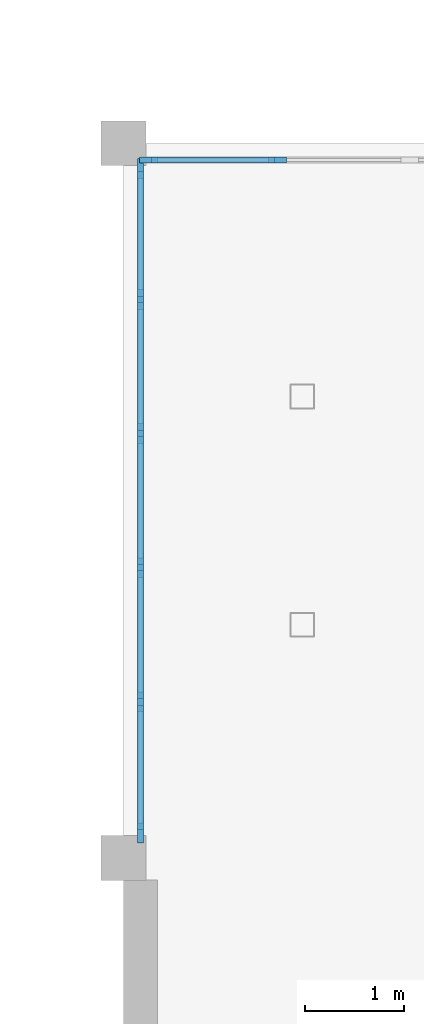
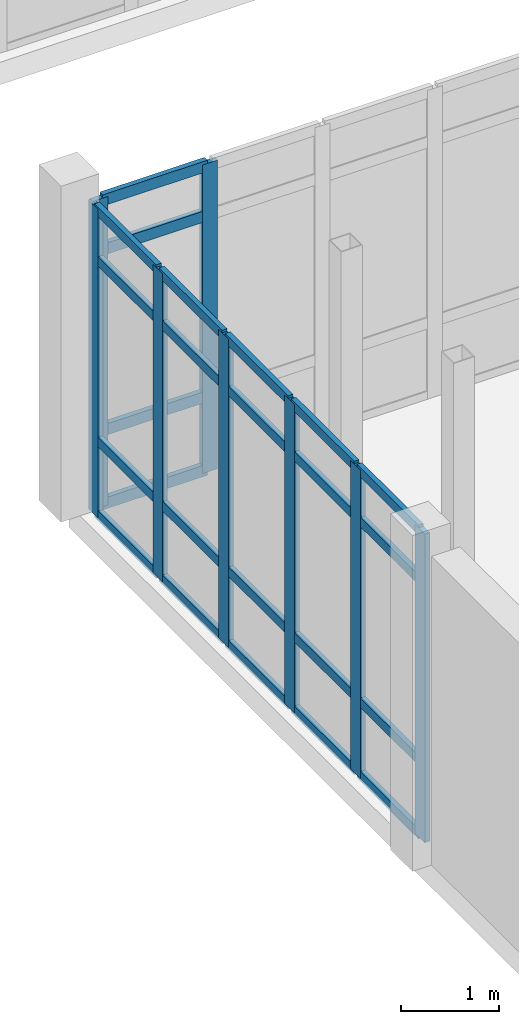
# One storey, part 76 of 147: 32 members, 2 elements without a shape of their own.
"""IFC4 building model written with IfcOpenShell, lengths in metres."""

from ifc_helpers import new_model, si_unit, direction, frame, origin, origin_2d, place, context, subcontext, project, spatial, rectangle, extrude, material, material_profile, profile_set, type_object, element, aggregate, save


model = new_model("IFC4")

# Units and contexts
model_context = context("Model", 3, precision=1e-05, world=origin(), true_north=direction((0.0, 1.0)))
body_context = subcontext(model_context, "Body", "Model", "MODEL_VIEW")
ifc_project = project(units=[si_unit("LENGTHUNIT", "METRE"), si_unit("AREAUNIT", "SQUARE_METRE"), si_unit("VOLUMEUNIT", "CUBIC_METRE"), si_unit("PLANEANGLEUNIT", "RADIAN"), si_unit("MASSUNIT", "GRAM", prefix="KILO")], contexts=[model_context])

# Site, building, storey
site_placement = place(None, origin())
site = spatial("IfcSite", under=ifc_project, at=site_placement, CompositionType="ELEMENT")
building_placement = place(site_placement, origin())
building = spatial("IfcBuilding", under=site, at=building_placement, Name="Malvenik Polytechnic", CompositionType="ELEMENT")
storey_placement = place(building_placement, frame((0.0, 0.0, 5.10009765625)))
storey = spatial("IfcBuildingStorey", under=building, at=storey_placement, Name="L01", CompositionType="ELEMENT", Elevation=5.10009765625)

# Curtain wall, members
ifc_material_1 = material(Name="Anodised aluminium 6060-T6", Category="aluminium")
curtain_wall_type_1 = type_object("IfcCurtainWallType", Name="ARC-CW-CW-01", PredefinedType="NOTDEFINED", material=ifc_material_1)
curtain_wall_1_placement = place(storey_placement, origin())
curtain_wall_1 = element("IfcCurtainWall", 1, at=curtain_wall_1_placement, inside=storey, type_object=curtain_wall_type_1, Name="Unitised Curtain Wall CW-01 L01 #64", PredefinedType="NOTDEFINED")
ifc_material_2 = material(Name="Anodised aluminium", Category="aluminium")
ifc_material_profile_1 = material_profile(ifc_material_2, rectangle(XDim=0.06005859375, YDim=0.179931640625, at=origin_2d()), Name="ALU MULLION 60x180")
ifc_profile_set_1 = profile_set([ifc_material_profile_1], Name="Anodised aluminium")
member_type_1 = type_object("IfcMemberType", Name="ARC-CWM-180", PredefinedType="MULLION", material=ifc_profile_set_1)
member_1_placement = place(storey_placement, frame((126.2529296875, 107.830078125, 0.0), z_axis=(0.0, 0.0, 1.0), x_axis=(0.0, 1.0, 0.0)))
member_1 = element("IfcMember", 2, at=member_1_placement, type_object=member_type_1, Name="CW-01 mullion 1", PredefinedType="MULLION", context=body_context, shape_type="SweptSolid", body=[
    extrude(rectangle(XDim=0.06005859375, YDim=0.179931640625, at=origin_2d()), origin(), (0.0, 0.0, 1.0), 3.85986328125),
])
member_2_placement = place(storey_placement, frame((127.552734375, 107.830078125, 0.0), z_axis=(0.0, 0.0, 1.0), x_axis=(0.0, 1.0, 0.0)))
member_2 = element("IfcMember", 3, at=member_2_placement, type_object=member_type_1, Name="CW-01 mullion 2", PredefinedType="MULLION", context=body_context, shape_type="SweptSolid", body=[
    extrude(rectangle(XDim=0.06005859375, YDim=0.179931640625, at=origin_2d()), origin(), (0.0, 0.0, 1.0), 3.85986328125),
])

curtain_wall_type_2 = type_object("IfcCurtainWallType", Name="ARC-CW-CW-04", PredefinedType="NOTDEFINED", material=ifc_material_1)
curtain_wall_2_placement = place(storey_placement, origin())
curtain_wall_2 = element("IfcCurtainWall", 4, at=curtain_wall_2_placement, inside=storey, type_object=curtain_wall_type_2, Name="Unitised Curtain Wall CW-04 L01 #63", PredefinedType="NOTDEFINED")
ifc_material_profile_2 = material_profile(ifc_material_2, rectangle(XDim=0.06005859375, YDim=0.199951171875, at=origin_2d()), Name="ALU MULLION 60x200")
ifc_profile_set_2 = profile_set([ifc_material_profile_2], Name="Anodised aluminium")
member_type_2 = type_object("IfcMemberType", Name="ARC-CWM-200", PredefinedType="MULLION", material=ifc_profile_set_2)
member_3_placement = place(storey_placement, frame((126.169921875, 101.052978515625, 0.0), z_axis=(0.0, 0.0, 1.0), x_axis=(-1.0, 0.0, 0.0)))
member_3 = element("IfcMember", 5, at=member_3_placement, type_object=member_type_2, Name="CW-04 mullion 1", PredefinedType="MULLION", context=body_context, shape_type="SweptSolid", body=[
    extrude(rectangle(XDim=0.06005859375, YDim=0.199951171875, at=origin_2d()), origin(), (0.0, 0.0, 1.0), 3.85986328125),
])
member_4_placement = place(storey_placement, frame((126.169921875, 102.373779296875, 0.0), z_axis=(0.0, 0.0, 1.0), x_axis=(-1.0, 0.0, 0.0)))
member_4 = element("IfcMember", 6, at=member_4_placement, type_object=member_type_2, Name="CW-04 mullion 2", PredefinedType="MULLION", context=body_context, shape_type="SweptSolid", body=[
    extrude(rectangle(XDim=0.06005859375, YDim=0.199951171875, at=origin_2d()), origin(), (0.0, 0.0, 1.0), 3.85986328125),
])
member_5_placement = place(storey_placement, frame((126.169921875, 103.724609375, 0.0), z_axis=(0.0, 0.0, 1.0), x_axis=(-1.0, 0.0, 0.0)))
member_5 = element("IfcMember", 7, at=member_5_placement, type_object=member_type_2, Name="CW-04 mullion 3", PredefinedType="MULLION", context=body_context, shape_type="SweptSolid", body=[
    extrude(rectangle(XDim=0.06005859375, YDim=0.199951171875, at=origin_2d()), origin(), (0.0, 0.0, 1.0), 3.85986328125),
])
member_6_placement = place(storey_placement, frame((126.169921875, 105.075439453125, 0.0), z_axis=(0.0, 0.0, 1.0), x_axis=(-1.0, 0.0, 0.0)))
member_6 = element("IfcMember", 8, at=member_6_placement, type_object=member_type_2, Name="CW-04 mullion 4", PredefinedType="MULLION", context=body_context, shape_type="SweptSolid", body=[
    extrude(rectangle(XDim=0.06005859375, YDim=0.199951171875, at=origin_2d()), origin(), (0.0, 0.0, 1.0), 3.85986328125),
])
member_7_placement = place(storey_placement, frame((126.169921875, 106.42626953125, 0.0), z_axis=(0.0, 0.0, 1.0), x_axis=(-1.0, 0.0, 0.0)))
member_7 = element("IfcMember", 9, at=member_7_placement, type_object=member_type_2, Name="CW-04 mullion 5", PredefinedType="MULLION", context=body_context, shape_type="SweptSolid", body=[
    extrude(rectangle(XDim=0.06005859375, YDim=0.199951171875, at=origin_2d()), origin(), (0.0, 0.0, 1.0), 3.85986328125),
])
member_8_placement = place(storey_placement, frame((126.169921875, 107.7470703125, 0.0), z_axis=(0.0, 0.0, 1.0), x_axis=(-1.0, 0.0, 0.0)))
member_8 = element("IfcMember", 10, at=member_8_placement, type_object=member_type_2, Name="CW-04 mullion 6", PredefinedType="MULLION", context=body_context, shape_type="SweptSolid", body=[
    extrude(rectangle(XDim=0.06005859375, YDim=0.199951171875, at=origin_2d()), origin(), (0.0, 0.0, 1.0), 3.85986328125),
])
ifc_material_profile_3 = material_profile(ifc_material_2, rectangle(XDim=0.06005859375, YDim=0.1201171875, at=origin_2d()), Name="ALU TRANSOM 60x120")
ifc_profile_set_3 = profile_set([ifc_material_profile_3], Name="Anodised aluminium")
member_type_3 = type_object("IfcMemberType", Name="ARC-CWT-120", PredefinedType="USERDEFINED", material=ifc_profile_set_3)
member_9_placement = place(storey_placement, frame((126.169921875, 101.0830078125, 0.02978515625), z_axis=(0.0, 1.0, 0.0), x_axis=(-1.0, 0.0, 0.0)))
member_9 = element("IfcMember", 11, at=member_9_placement, type_object=member_type_3, Name="CW-04 transom 1.1", ObjectType="TRANSOM", PredefinedType="USERDEFINED", context=body_context, shape_type="SweptSolid", body=[
    extrude(rectangle(XDim=0.06005859375, YDim=0.1201171875, at=origin_2d()), origin(), (0.0, 0.0, 1.0), 1.2607421875),
])
member_10_placement = place(storey_placement, frame((126.169921875, 101.0830078125, 0.949951171875), z_axis=(0.0, 1.0, 0.0), x_axis=(-1.0, 0.0, 0.0)))
member_10 = element("IfcMember", 12, at=member_10_placement, type_object=member_type_3, Name="CW-04 transom 1.2", ObjectType="TRANSOM", PredefinedType="USERDEFINED", context=body_context, shape_type="SweptSolid", body=[
    extrude(rectangle(XDim=0.06005859375, YDim=0.1201171875, at=origin_2d()), origin(), (0.0, 0.0, 1.0), 1.2607421875),
])
member_11_placement = place(storey_placement, frame((126.169921875, 101.0830078125, 3.2099609375), z_axis=(0.0, 1.0, 0.0), x_axis=(-1.0, 0.0, 0.0)))
member_11 = element("IfcMember", 13, at=member_11_placement, type_object=member_type_3, Name="CW-04 transom 1.3", ObjectType="TRANSOM", PredefinedType="USERDEFINED", context=body_context, shape_type="SweptSolid", body=[
    extrude(rectangle(XDim=0.06005859375, YDim=0.1201171875, at=origin_2d()), origin(), (0.0, 0.0, 1.0), 1.2607421875),
])
member_12_placement = place(storey_placement, frame((126.169921875, 101.0830078125, 3.829833984375), z_axis=(0.0, 1.0, 0.0), x_axis=(-1.0, 0.0, 0.0)))
member_12 = element("IfcMember", 14, at=member_12_placement, type_object=member_type_3, Name="CW-04 transom 1.4", ObjectType="TRANSOM", PredefinedType="USERDEFINED", context=body_context, shape_type="SweptSolid", body=[
    extrude(rectangle(XDim=0.06005859375, YDim=0.1201171875, at=origin_2d()), origin(), (0.0, 0.0, 1.0), 1.2607421875),
])
member_13_placement = place(storey_placement, frame((126.169921875, 102.40380859375, 0.02978515625), z_axis=(0.0, 1.0, 0.0), x_axis=(-1.0, 0.0, 0.0)))
member_13 = element("IfcMember", 15, at=member_13_placement, type_object=member_type_3, Name="CW-04 transom 2.1", ObjectType="TRANSOM", PredefinedType="USERDEFINED", context=body_context, shape_type="SweptSolid", body=[
    extrude(rectangle(XDim=0.06005859375, YDim=0.1201171875, at=origin_2d()), origin(), (0.0, 0.0, 1.0), 1.290771484375),
])
member_14_placement = place(storey_placement, frame((126.169921875, 102.40380859375, 0.949951171875), z_axis=(0.0, 1.0, 0.0), x_axis=(-1.0, 0.0, 0.0)))
member_14 = element("IfcMember", 16, at=member_14_placement, type_object=member_type_3, Name="CW-04 transom 2.2", ObjectType="TRANSOM", PredefinedType="USERDEFINED", context=body_context, shape_type="SweptSolid", body=[
    extrude(rectangle(XDim=0.06005859375, YDim=0.1201171875, at=origin_2d()), origin(), (0.0, 0.0, 1.0), 1.290771484375),
])
member_15_placement = place(storey_placement, frame((126.169921875, 102.40380859375, 3.2099609375), z_axis=(0.0, 1.0, 0.0), x_axis=(-1.0, 0.0, 0.0)))
member_15 = element("IfcMember", 17, at=member_15_placement, type_object=member_type_3, Name="CW-04 transom 2.3", ObjectType="TRANSOM", PredefinedType="USERDEFINED", context=body_context, shape_type="SweptSolid", body=[
    extrude(rectangle(XDim=0.06005859375, YDim=0.1201171875, at=origin_2d()), origin(), (0.0, 0.0, 1.0), 1.290771484375),
])
member_16_placement = place(storey_placement, frame((126.169921875, 102.40380859375, 3.829833984375), z_axis=(0.0, 1.0, 0.0), x_axis=(-1.0, 0.0, 0.0)))
member_16 = element("IfcMember", 18, at=member_16_placement, type_object=member_type_3, Name="CW-04 transom 2.4", ObjectType="TRANSOM", PredefinedType="USERDEFINED", context=body_context, shape_type="SweptSolid", body=[
    extrude(rectangle(XDim=0.06005859375, YDim=0.1201171875, at=origin_2d()), origin(), (0.0, 0.0, 1.0), 1.290771484375),
])
member_17_placement = place(storey_placement, frame((126.169921875, 103.754638671875, 0.02978515625), z_axis=(0.0, 1.0, 0.0), x_axis=(-1.0, 0.0, 0.0)))
member_17 = element("IfcMember", 19, at=member_17_placement, type_object=member_type_3, Name="CW-04 transom 3.1", ObjectType="TRANSOM", PredefinedType="USERDEFINED", context=body_context, shape_type="SweptSolid", body=[
    extrude(rectangle(XDim=0.06005859375, YDim=0.1201171875, at=origin_2d()), origin(), (0.0, 0.0, 1.0), 1.290771484375),
])
member_18_placement = place(storey_placement, frame((126.169921875, 103.754638671875, 0.949951171875), z_axis=(0.0, 1.0, 0.0), x_axis=(-1.0, 0.0, 0.0)))
member_18 = element("IfcMember", 20, at=member_18_placement, type_object=member_type_3, Name="CW-04 transom 3.2", ObjectType="TRANSOM", PredefinedType="USERDEFINED", context=body_context, shape_type="SweptSolid", body=[
    extrude(rectangle(XDim=0.06005859375, YDim=0.1201171875, at=origin_2d()), origin(), (0.0, 0.0, 1.0), 1.290771484375),
])
member_19_placement = place(storey_placement, frame((126.169921875, 103.754638671875, 3.2099609375), z_axis=(0.0, 1.0, 0.0), x_axis=(-1.0, 0.0, 0.0)))
member_19 = element("IfcMember", 21, at=member_19_placement, type_object=member_type_3, Name="CW-04 transom 3.3", ObjectType="TRANSOM", PredefinedType="USERDEFINED", context=body_context, shape_type="SweptSolid", body=[
    extrude(rectangle(XDim=0.06005859375, YDim=0.1201171875, at=origin_2d()), origin(), (0.0, 0.0, 1.0), 1.290771484375),
])
member_20_placement = place(storey_placement, frame((126.169921875, 103.754638671875, 3.829833984375), z_axis=(0.0, 1.0, 0.0), x_axis=(-1.0, 0.0, 0.0)))
member_20 = element("IfcMember", 22, at=member_20_placement, type_object=member_type_3, Name="CW-04 transom 3.4", ObjectType="TRANSOM", PredefinedType="USERDEFINED", context=body_context, shape_type="SweptSolid", body=[
    extrude(rectangle(XDim=0.06005859375, YDim=0.1201171875, at=origin_2d()), origin(), (0.0, 0.0, 1.0), 1.290771484375),
])
member_21_placement = place(storey_placement, frame((126.169921875, 105.10546875, 0.02978515625), z_axis=(0.0, 1.0, 0.0), x_axis=(-1.0, 0.0, 0.0)))
member_21 = element("IfcMember", 23, at=member_21_placement, type_object=member_type_3, Name="CW-04 transom 4.1", ObjectType="TRANSOM", PredefinedType="USERDEFINED", context=body_context, shape_type="SweptSolid", body=[
    extrude(rectangle(XDim=0.06005859375, YDim=0.1201171875, at=origin_2d()), origin(), (0.0, 0.0, 1.0), 1.290771484375),
])
member_22_placement = place(storey_placement, frame((126.169921875, 105.10546875, 0.949951171875), z_axis=(0.0, 1.0, 0.0), x_axis=(-1.0, 0.0, 0.0)))
member_22 = element("IfcMember", 24, at=member_22_placement, type_object=member_type_3, Name="CW-04 transom 4.2", ObjectType="TRANSOM", PredefinedType="USERDEFINED", context=body_context, shape_type="SweptSolid", body=[
    extrude(rectangle(XDim=0.06005859375, YDim=0.1201171875, at=origin_2d()), origin(), (0.0, 0.0, 1.0), 1.290771484375),
])
member_23_placement = place(storey_placement, frame((126.169921875, 105.10546875, 3.2099609375), z_axis=(0.0, 1.0, 0.0), x_axis=(-1.0, 0.0, 0.0)))
member_23 = element("IfcMember", 25, at=member_23_placement, type_object=member_type_3, Name="CW-04 transom 4.3", ObjectType="TRANSOM", PredefinedType="USERDEFINED", context=body_context, shape_type="SweptSolid", body=[
    extrude(rectangle(XDim=0.06005859375, YDim=0.1201171875, at=origin_2d()), origin(), (0.0, 0.0, 1.0), 1.290771484375),
])
member_24_placement = place(storey_placement, frame((126.169921875, 105.10546875, 3.829833984375), z_axis=(0.0, 1.0, 0.0), x_axis=(-1.0, 0.0, 0.0)))
member_24 = element("IfcMember", 26, at=member_24_placement, type_object=member_type_3, Name="CW-04 transom 4.4", ObjectType="TRANSOM", PredefinedType="USERDEFINED", context=body_context, shape_type="SweptSolid", body=[
    extrude(rectangle(XDim=0.06005859375, YDim=0.1201171875, at=origin_2d()), origin(), (0.0, 0.0, 1.0), 1.290771484375),
])
member_25_placement = place(storey_placement, frame((126.169921875, 106.456298828125, 0.02978515625), z_axis=(0.0, 1.0, 0.0), x_axis=(-1.0, 0.0, 0.0)))
member_25 = element("IfcMember", 27, at=member_25_placement, type_object=member_type_3, Name="CW-04 transom 5.1", ObjectType="TRANSOM", PredefinedType="USERDEFINED", context=body_context, shape_type="SweptSolid", body=[
    extrude(rectangle(XDim=0.06005859375, YDim=0.1201171875, at=origin_2d()), origin(), (0.0, 0.0, 1.0), 1.2607421875),
])
member_26_placement = place(storey_placement, frame((126.169921875, 106.456298828125, 0.949951171875), z_axis=(0.0, 1.0, 0.0), x_axis=(-1.0, 0.0, 0.0)))
member_26 = element("IfcMember", 28, at=member_26_placement, type_object=member_type_3, Name="CW-04 transom 5.2", ObjectType="TRANSOM", PredefinedType="USERDEFINED", context=body_context, shape_type="SweptSolid", body=[
    extrude(rectangle(XDim=0.06005859375, YDim=0.1201171875, at=origin_2d()), origin(), (0.0, 0.0, 1.0), 1.2607421875),
])
member_27_placement = place(storey_placement, frame((126.169921875, 106.456298828125, 3.2099609375), z_axis=(0.0, 1.0, 0.0), x_axis=(-1.0, 0.0, 0.0)))
member_27 = element("IfcMember", 29, at=member_27_placement, type_object=member_type_3, Name="CW-04 transom 5.3", ObjectType="TRANSOM", PredefinedType="USERDEFINED", context=body_context, shape_type="SweptSolid", body=[
    extrude(rectangle(XDim=0.06005859375, YDim=0.1201171875, at=origin_2d()), origin(), (0.0, 0.0, 1.0), 1.2607421875),
])
member_28_placement = place(storey_placement, frame((126.169921875, 106.456298828125, 3.829833984375), z_axis=(0.0, 1.0, 0.0), x_axis=(-1.0, 0.0, 0.0)))
member_28 = element("IfcMember", 30, at=member_28_placement, type_object=member_type_3, Name="CW-04 transom 5.4", ObjectType="TRANSOM", PredefinedType="USERDEFINED", context=body_context, shape_type="SweptSolid", body=[
    extrude(rectangle(XDim=0.06005859375, YDim=0.1201171875, at=origin_2d()), origin(), (0.0, 0.0, 1.0), 1.2607421875),
])
aggregate(curtain_wall_2, [member_3, member_4, member_5, member_6, member_7, member_8, member_9, member_10, member_11, member_12, member_13, member_14, member_15, member_16, member_17, member_18, member_19, member_20, member_21, member_22, member_23, member_24, member_25, member_26, member_27, member_28])

# Member
ifc_material_profile_4 = material_profile(ifc_material_2, rectangle(XDim=0.06005859375, YDim=0.139892578125, at=origin_2d()), Name="ALU TRANSOM 60x140")
ifc_profile_set_4 = profile_set([ifc_material_profile_4], Name="Anodised aluminium")
member_type_4 = type_object("IfcMemberType", Name="ARC-CWT-140", PredefinedType="USERDEFINED", material=ifc_profile_set_4)
member_29_placement = place(storey_placement, frame((126.282958984375, 107.830078125, 0.02978515625), z_axis=(1.0, 0.0, 0.0), x_axis=(0.0, 1.0, 0.0)))
member_29 = element("IfcMember", 31, at=member_29_placement, type_object=member_type_4, Name="CW-01 transom 1.1", ObjectType="TRANSOM", PredefinedType="USERDEFINED", context=body_context, shape_type="SweptSolid", body=[
    extrude(rectangle(XDim=0.06005859375, YDim=0.139892578125, at=origin_2d()), origin(), (0.0, 0.0, 1.0), 1.239990234375),
])

member_30_placement = place(storey_placement, frame((126.282958984375, 107.830078125, 0.949951171875), z_axis=(1.0, 0.0, 0.0), x_axis=(0.0, 1.0, 0.0)))
member_30 = element("IfcMember", 32, at=member_30_placement, type_object=member_type_4, Name="CW-01 transom 1.2", ObjectType="TRANSOM", PredefinedType="USERDEFINED", context=body_context, shape_type="SweptSolid", body=[
    extrude(rectangle(XDim=0.06005859375, YDim=0.139892578125, at=origin_2d()), origin(), (0.0, 0.0, 1.0), 1.239990234375),
])

member_31_placement = place(storey_placement, frame((126.282958984375, 107.830078125, 3.2099609375), z_axis=(1.0, 0.0, 0.0), x_axis=(0.0, 1.0, 0.0)))
member_31 = element("IfcMember", 33, at=member_31_placement, type_object=member_type_4, Name="CW-01 transom 1.3", ObjectType="TRANSOM", PredefinedType="USERDEFINED", context=body_context, shape_type="SweptSolid", body=[
    extrude(rectangle(XDim=0.06005859375, YDim=0.139892578125, at=origin_2d()), origin(), (0.0, 0.0, 1.0), 1.239990234375),
])

member_32_placement = place(storey_placement, frame((126.282958984375, 107.830078125, 3.829833984375), z_axis=(1.0, 0.0, 0.0), x_axis=(0.0, 1.0, 0.0)))
member_32 = element("IfcMember", 34, at=member_32_placement, type_object=member_type_4, Name="CW-01 transom 1.4", ObjectType="TRANSOM", PredefinedType="USERDEFINED", context=body_context, shape_type="SweptSolid", body=[
    extrude(rectangle(XDim=0.06005859375, YDim=0.139892578125, at=origin_2d()), origin(), (0.0, 0.0, 1.0), 1.239990234375),
])

aggregate(curtain_wall_1, [member_1, member_2, member_29, member_30, member_31, member_32])

save(model, "model.ifc")
